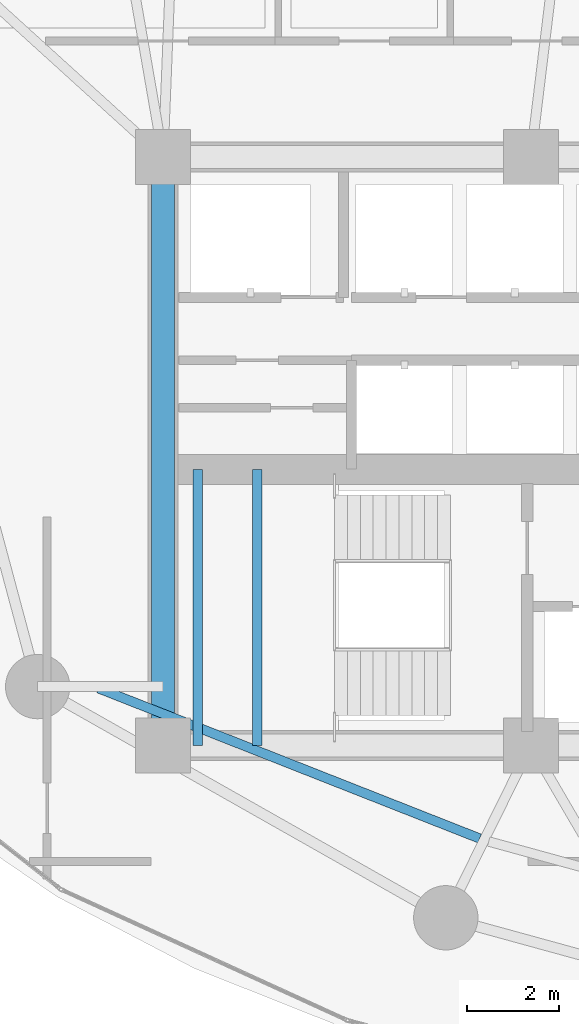
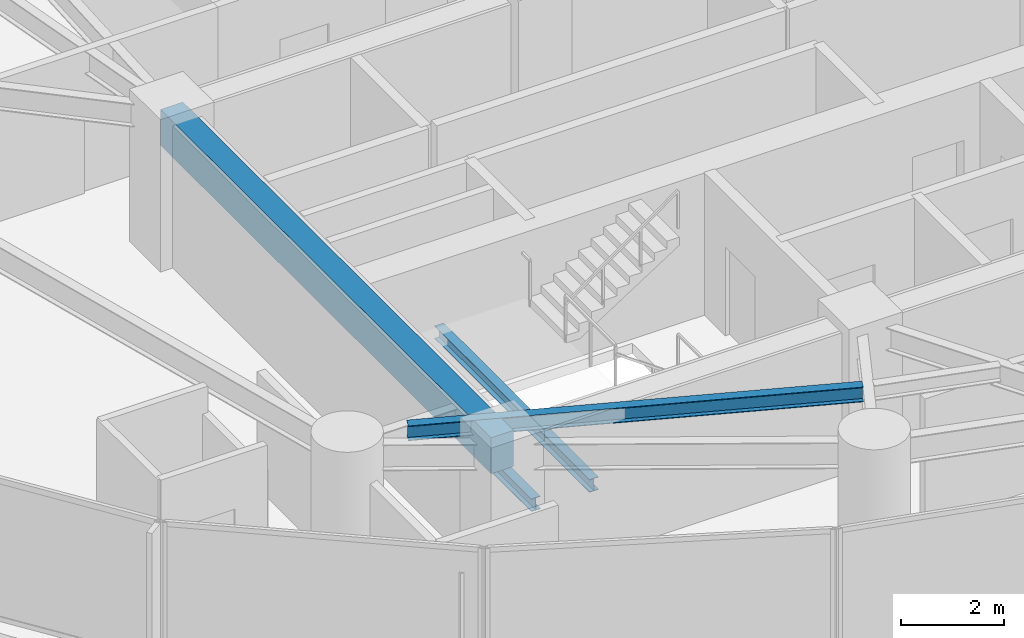
# One storey, part 4 of 32: 4 beams.
"""IFC4 building model written with IfcOpenShell, lengths in metres."""

from ifc_helpers import new_model, si_unit, direction, frame, origin, origin_2d, place, context, subcontext, project, spatial, rectangle, i_section, extrude, material, material_profile, profile_set, type_object, element, save


model = new_model("IFC4")

# Units and contexts
model_context = context("Model", 3, precision=1e-05, world=origin(), true_north=direction((0.0, 1.0)))
body_context = subcontext(model_context, "Body", "Model", "MODEL_VIEW")
ifc_project = project(units=[si_unit("LENGTHUNIT", "METRE"), si_unit("AREAUNIT", "SQUARE_METRE"), si_unit("VOLUMEUNIT", "CUBIC_METRE"), si_unit("PLANEANGLEUNIT", "RADIAN"), si_unit("MASSUNIT", "GRAM", prefix="KILO")], contexts=[model_context])

# Site, building, storey
site_placement = place(None, origin())
site = spatial("IfcSite", under=ifc_project, at=site_placement, CompositionType="ELEMENT")
building_placement = place(site_placement, origin())
building = spatial("IfcBuilding", under=site, at=building_placement, Name="Kazevale Care Tower and Concert Hall", CompositionType="ELEMENT")
storey_placement = place(building_placement, frame((0.0, 0.0, 42.0)))
storey = spatial("IfcBuildingStorey", under=building, at=storey_placement, Name="L10", CompositionType="ELEMENT", Elevation=42.0)

# Beams
ifc_material_1 = material(Name="Concrete C60", Category="concrete")
ifc_material_profile_1 = material_profile(ifc_material_1, rectangle(XDim=0.5, YDim=0.85009765625, at=origin_2d()), Name="RC-B500x850")
ifc_profile_set_1 = profile_set([ifc_material_profile_1], Name="Concrete C60")
beam_type_1 = type_object("IfcBeamType", Name="Core Coupling Beam RC500x850", PredefinedType="LINTEL", material=ifc_profile_set_1)
beam_1_placement = place(storey_placement, frame((22.0, 36.39990234375, 2.93505859375), z_axis=(0.0, -1.0, 0.0), x_axis=(1.0, 0.0, 0.0)))
element("IfcBeam", 1, at=beam_1_placement, inside=storey, type_object=beam_type_1, Name="beam:L10:coretie:8", PredefinedType="LINTEL", context=body_context, shape_type="SweptSolid", body=[
    extrude(rectangle(XDim=0.5, YDim=0.85009765625, at=origin_2d()), origin(), (0.0, 0.0, 1.0), 12.7998046875),
])
ifc_material_2 = material(Name="Steel ASTM A572 Gr 50", Category="steel")
ifc_material_profile_2 = material_profile(ifc_material_2, i_section(OverallWidth=0.205078125, OverallDepth=0.35400390625, WebThickness=0.009521484375, FlangeThickness=0.016845703125, at=origin_2d()), Name="W360x79")
ifc_profile_set_2 = profile_set([ifc_material_profile_2], Name="Steel ASTM A572 Gr 50")
beam_type_2 = type_object("IfcBeamType", Name="Secondary Floor Joist W360x79", PredefinedType="JOIST", material=ifc_profile_set_2)
beam_2_placement = place(storey_placement, frame((20.595947265625, 24.842041015625, 3.18310546875), z_axis=(0.930380638802, -0.366594963062, 0.0), x_axis=(0.366594963062, 0.930380638802, 0.0)))
element("IfcBeam", 2, at=beam_2_placement, inside=storey, type_object=beam_type_2, Name="beam:L10:joist:10", PredefinedType="JOIST", context=body_context, shape_type="SweptSolid", body=[
    extrude(i_section(OverallWidth=0.205078125, OverallDepth=0.35400390625, WebThickness=0.009521484375, FlangeThickness=0.016845703125, at=origin_2d()), origin(), (0.0, 0.0, 1.0), 8.909423828125),
])
ifc_material_profile_3 = material_profile(ifc_material_2, i_section(OverallWidth=0.202880859375, OverallDepth=0.302978515625, WebThickness=0.007568359375, FlangeThickness=0.01318359375, at=origin_2d()), Name="W310x60")
ifc_profile_set_3 = profile_set([ifc_material_profile_3], Name="Steel ASTM A572 Gr 50")
beam_type_3 = type_object("IfcBeamType", Name="Stair & Balcony Trimmer W310x60", PredefinedType="BEAM", material=ifc_profile_set_3)
for number, where, z_axis, x_axis, name in (
    (3, (22.75, 23.60009765625, 1.448486328125), (0.0, 1.0, 0.0), (-1.0, 0.0, 0.0), "beam:L10:sttrim:ST1"),
    (4, (24.050048828125, 23.60009765625, 1.448486328125), (0.0, 1.0, 0.0), (-1.0, 0.0, 0.0), "beam:L10:sttrim:ST1b"),
):
    element("IfcBeam", number, at=place(storey_placement, frame(where, z_axis=z_axis, x_axis=x_axis)), inside=storey, type_object=beam_type_3, Name=name, PredefinedType="BEAM", context=body_context, shape_type="SweptSolid", body=[
        extrude(i_section(OverallWidth=0.202880859375, OverallDepth=0.302978515625, WebThickness=0.007568359375, FlangeThickness=0.01318359375, at=origin_2d()), origin(), (0.0, 0.0, 1.0), 6.0),
    ])

save(model, "model.ifc")
